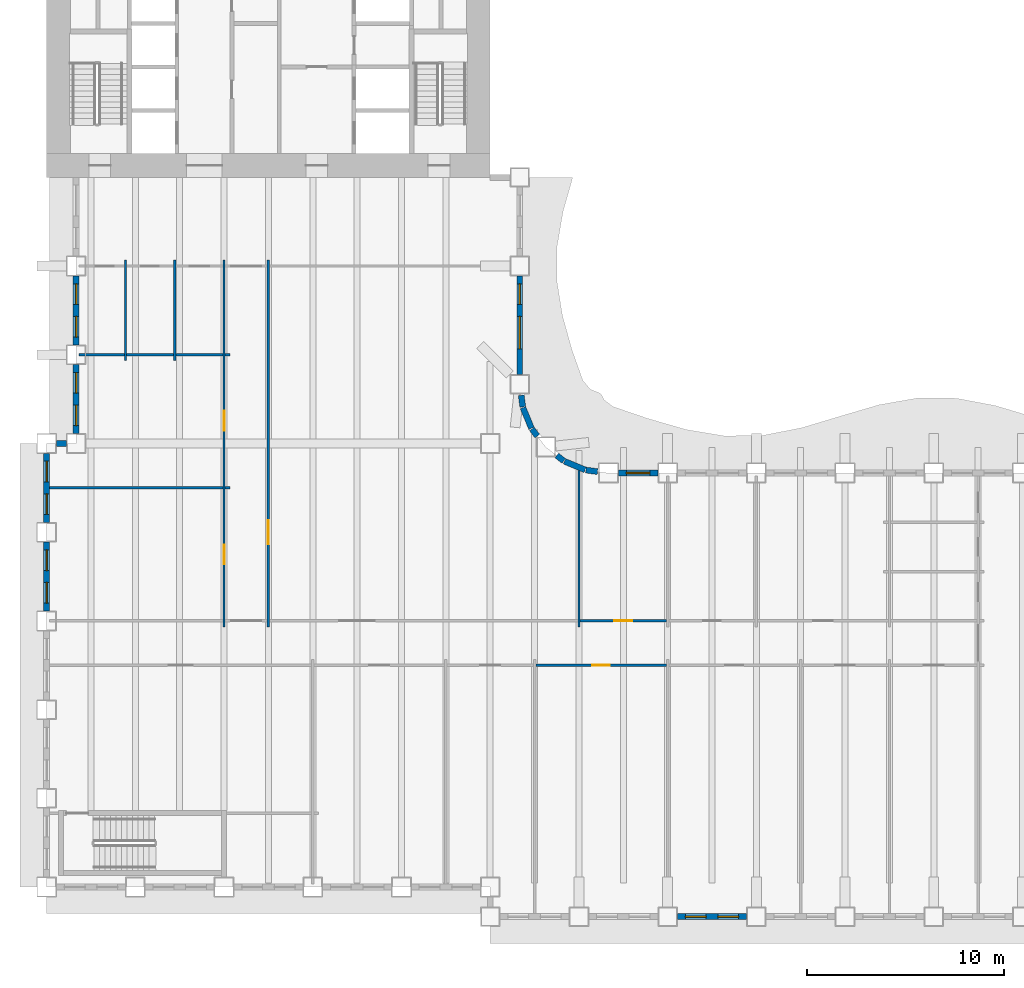
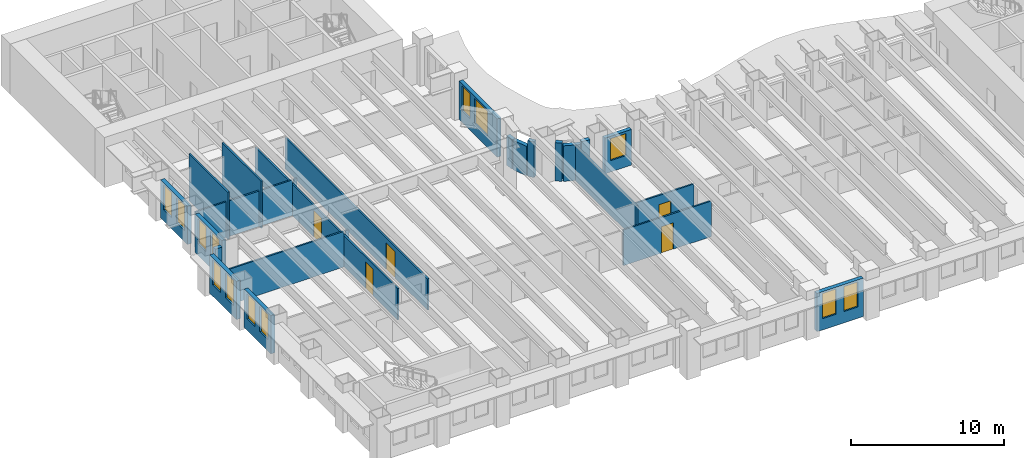
# One storey, part 4 of 16: 27 walls, 13 windows, 5 doors, 18 openings.
"""IFC4 building model written with IfcOpenShell, lengths in metres."""

from ifc_helpers import new_model, si_unit, direction, frame, frame_2d, origin, place, context, subcontext, project, spatial, rectangle, extrude, material, layer, layer_set, type_object, element, fill, save


model = new_model("IFC4")

# Units and contexts
model_context = context("Model", 3, precision=1e-05, world=origin(), true_north=direction((0.0, 1.0)))
body_context = subcontext(model_context, "Body", "Model", "MODEL_VIEW")
ifc_project = project(units=[si_unit("LENGTHUNIT", "METRE"), si_unit("AREAUNIT", "SQUARE_METRE"), si_unit("VOLUMEUNIT", "CUBIC_METRE"), si_unit("PLANEANGLEUNIT", "RADIAN"), si_unit("MASSUNIT", "GRAM", prefix="KILO")], contexts=[model_context])

# Site, building, storey
site_placement = place(None, origin())
site = spatial("IfcSite", under=ifc_project, at=site_placement, CompositionType="ELEMENT")
building_placement = place(site_placement, origin())
building = spatial("IfcBuilding", under=site, at=building_placement, Name="Sennacour Bend Tower", CompositionType="ELEMENT")
storey_placement = place(building_placement, frame((0.0, 0.0, 127.0)))
storey = spatial("IfcBuildingStorey", under=building, at=storey_placement, Name="L29", CompositionType="ELEMENT", Elevation=127.0)

# Walls
ifc_material_1 = material(Name="Plasterboard partition on steel studs", Category="steel")
ifc_layer_1 = layer(ifc_material_1, 0.1201171875, Name="Plasterboard partition on steel studs", Category="steel")
ifc_layer_set_1 = layer_set([ifc_layer_1], Name="Plasterboard partition on steel studs")
wall_type_1 = type_object("IfcWallType", Name="Partition 120", PredefinedType="PARTITIONING", material=ifc_layer_set_1)
for number, where, z_axis, x_axis, name in (
    (1, (4.0, 26.699951171875, 0.0), (0.0, 0.0, 1.0), (0.0, 1.0, 0.0), "P-L29-W005a"),
    (2, (6.5, 26.699951171875, 0.0), (0.0, 0.0, 1.0), (0.0, 1.0, 0.0), "P-L29-W008a"),
):
    element("IfcWall", number, at=place(storey_placement, frame(where, z_axis=z_axis, x_axis=x_axis)), inside=storey, type_object=wall_type_1, Name=name, PredefinedType="PARTITIONING", context=body_context, shape_type="SweptSolid", body=[
        extrude(rectangle(XDim=5.10009765625, YDim=0.1201171875, at=frame_2d((2.550048828125, 0.0))), origin(), (0.0, 0.0, 1.0), 3.75),
    ])

# Wall, openings, doors
wall_1_placement = place(storey_placement, frame((9.0, 13.199951171875, 0.0), z_axis=(0.0, 0.0, 1.0), x_axis=(0.0, 1.0, 0.0)))
wall_1 = element("IfcWall", 3, at=wall_1_placement, inside=storey, type_object=wall_type_1, Name="P-L29-W011a", PredefinedType="PARTITIONING", context=body_context, shape_type="SweptSolid", body=[
    extrude(rectangle(XDim=18.60009765625, YDim=0.1201171875, at=frame_2d((9.300048828125, 0.0))), origin(), (0.0, 0.0, 1.0), 2.5),
])
opening_1_placement = place(wall_1_placement, frame((3.175048828125, 0.0, 0.0)))
opening_1 = element("IfcOpeningElement", 4, at=opening_1_placement, cuts=wall_1, Name="Opening OD2", PredefinedType="OPENING", context=body_context, shape_type="SweptSolid", body=[
    extrude(rectangle(XDim=1.0, YDim=2.10009765625, at=frame_2d((0.5, 1.050048828125))), frame((0.0, 0.070068359375, 0.0), z_axis=(0.0, -1.0, 0.0), x_axis=(1.0, 0.0, 0.0)), (0.0, 0.0, 1.0), 0.14013671875),
])
opening_2_placement = place(wall_1_placement, frame((9.955078125, 0.0, 0.0)))
opening_2 = element("IfcOpeningElement", 5, at=opening_2_placement, cuts=wall_1, Name="Opening OD2", PredefinedType="OPENING", context=body_context, shape_type="SweptSolid", body=[
    extrude(rectangle(XDim=1.0, YDim=2.10009765625, at=frame_2d((0.5, 1.050048828125))), frame((0.0, 0.070068359375, 0.0), z_axis=(0.0, -1.0, 0.0), x_axis=(1.0, 0.0, 0.0)), (0.0, 0.0, 1.0), 0.14013671875),
])
ifc_material_2 = material(Name="Timber", Category="wood")
door_type_1 = type_object("IfcDoorType", Name="DR-OFFICE-1000", OperationType="NOTDEFINED", PredefinedType="DOOR", material=ifc_material_2)
door_1_placement = place(opening_1_placement, origin())
door_1 = element("IfcDoor", 6, at=door_1_placement, inside=storey, type_object=door_type_1, Name="Door", OperationType="SINGLE_SWING_LEFT", OverallHeight=2.10009765625, OverallWidth=1.0, PredefinedType="DOOR", context=body_context, shape_type="SweptSolid", body=[
    extrude(rectangle(XDim=1.0, YDim=2.10009765625, at=frame_2d((0.5, 1.050048828125))), frame((0.0, 0.02490234375, 0.0), z_axis=(0.0, -1.0, 0.0), x_axis=(1.0, 0.0, 0.0)), (0.0, 0.0, 1.0), 0.050048828125),
])
fill(opening_1, door_1)
door_2_placement = place(opening_2_placement, origin())
door_2 = element("IfcDoor", 7, at=door_2_placement, inside=storey, type_object=door_type_1, Name="Door", OperationType="SINGLE_SWING_RIGHT", OverallHeight=2.10009765625, OverallWidth=1.0, PredefinedType="DOOR", context=body_context, shape_type="SweptSolid", body=[
    extrude(rectangle(XDim=1.0, YDim=2.10009765625, at=frame_2d((0.5, 1.050048828125))), frame((0.0, 0.02490234375, 0.0), z_axis=(0.0, -1.0, 0.0), x_axis=(1.0, 0.0, 0.0)), (0.0, 0.0, 1.0), 0.050048828125),
])
fill(opening_2, door_2)

# Wall, opening, door
wall_2_placement = place(storey_placement, frame((11.25, 13.199951171875, 0.0), z_axis=(0.0, 0.0, 1.0), x_axis=(0.0, 1.0, 0.0)))
wall_2 = element("IfcWall", 8, at=wall_2_placement, inside=storey, type_object=wall_type_1, Name="P-L29-W013a", PredefinedType="PARTITIONING", context=body_context, shape_type="SweptSolid", body=[
    extrude(rectangle(XDim=18.60009765625, YDim=0.1201171875, at=frame_2d((9.300048828125, 0.0))), origin(), (0.0, 0.0, 1.0), 2.5),
])
opening_3_placement = place(wall_2_placement, frame((4.199951171875, 0.0, 0.0)))
opening_3 = element("IfcOpeningElement", 9, at=opening_3_placement, cuts=wall_2, Name="Opening OD", PredefinedType="OPENING", context=body_context, shape_type="SweptSolid", body=[
    extrude(rectangle(XDim=1.199951171875, YDim=2.10009765625, at=frame_2d((0.60009765625, 1.050048828125))), frame((0.0, 0.070068359375, 0.0), z_axis=(0.0, -1.0, 0.0), x_axis=(1.0, 0.0, 0.0)), (0.0, 0.0, 1.0), 0.14013671875),
])
door_type_2 = type_object("IfcDoorType", Name="DR-OFFICE-1200", OperationType="NOTDEFINED", PredefinedType="DOOR", material=ifc_material_2)
door_3_placement = place(opening_3_placement, origin())
door_3 = element("IfcDoor", 10, at=door_3_placement, inside=storey, type_object=door_type_2, Name="Door", OperationType="SINGLE_SWING_LEFT", OverallHeight=2.10009765625, OverallWidth=1.199951171875, PredefinedType="DOOR", context=body_context, shape_type="SweptSolid", body=[
    extrude(rectangle(XDim=1.199951171875, YDim=2.10009765625, at=frame_2d((0.60009765625, 1.050048828125))), frame((0.0, 0.02490234375, 0.0), z_axis=(0.0, -1.0, 0.0), x_axis=(1.0, 0.0, 0.0)), (0.0, 0.0, 1.0), 0.050048828125),
])
fill(opening_3, door_3)

# Walls
wall_3_placement = place(storey_placement, frame((27.0, 13.199951171875, 0.0), z_axis=(0.0, 0.0, 1.0), x_axis=(0.0, 1.0, 0.0)))
element("IfcWall", 11, at=wall_3_placement, inside=storey, type_object=wall_type_1, Name="P-L29-W026a", PredefinedType="PARTITIONING", context=body_context, shape_type="SweptSolid", body=[
    extrude(rectangle(XDim=7.929931640625, YDim=0.1201171875, at=frame_2d((3.96484375, 0.0))), origin(), (0.0, 0.0, 1.0), 2.837890625),
])
wall_4_placement = place(storey_placement, frame((0.14990234375, 20.25, 0.0), z_axis=(0.0, 0.0, 1.0), x_axis=(1.0, 0.0, 0.0)))
element("IfcWall", 12, at=wall_4_placement, inside=storey, type_object=wall_type_1, Name="P-L29-W070aa", PredefinedType="PARTITIONING", context=body_context, shape_type="SweptSolid", body=[
    extrude(rectangle(XDim=8.7900390625, YDim=0.1201171875, at=frame_2d((4.39501953125, 0.0))), origin(), (0.0, 0.0, 1.0), 2.837890625),
])
wall_5_placement = place(storey_placement, frame((9.06005859375, 20.25, 0.0), z_axis=(0.0, 0.0, 1.0), x_axis=(1.0, 0.0, 0.0)))
element("IfcWall", 13, at=wall_5_placement, inside=storey, type_object=wall_type_1, Name="P-L29-W070ab", PredefinedType="PARTITIONING", context=body_context, shape_type="SweptSolid", body=[
    extrude(rectangle(XDim=0.239990234375, YDim=0.1201171875, at=frame_2d((0.1201171875, 0.0))), origin(), (0.0, 0.0, 1.0), 2.837890625),
])
wall_6_placement = place(storey_placement, frame((1.64990234375, 27.0, 0.0), z_axis=(0.0, 0.0, 1.0), x_axis=(1.0, 0.0, 0.0)))
element("IfcWall", 14, at=wall_6_placement, inside=storey, type_object=wall_type_1, Name="P-L29-W073aa", PredefinedType="PARTITIONING", context=body_context, shape_type="SweptSolid", body=[
    extrude(rectangle(XDim=2.2900390625, YDim=0.1201171875, at=frame_2d((1.14501953125, 0.0))), origin(), (0.0, 0.0, 1.0), 2.837890625),
])
for number, where, z_axis, x_axis, name in (
    (15, (4.06005859375, 27.0, 0.0), (0.0, 0.0, 1.0), (1.0, 0.0, 0.0), "P-L29-W073ab"),
    (16, (6.56005859375, 27.0, 0.0), (0.0, 0.0, 1.0), (1.0, 0.0, 0.0), "P-L29-W073ac"),
):
    element("IfcWall", number, at=place(storey_placement, frame(where, z_axis=z_axis, x_axis=x_axis)), inside=storey, type_object=wall_type_1, Name=name, PredefinedType="PARTITIONING", context=body_context, shape_type="SweptSolid", body=[
        extrude(rectangle(XDim=2.3798828125, YDim=0.1201171875, at=frame_2d((1.18994140625, 0.0))), origin(), (0.0, 0.0, 1.0), 2.837890625),
    ])
wall_7_placement = place(storey_placement, frame((9.06005859375, 27.0, 0.0), z_axis=(0.0, 0.0, 1.0), x_axis=(1.0, 0.0, 0.0)))
element("IfcWall", 17, at=wall_7_placement, inside=storey, type_object=wall_type_1, Name="P-L29-W073ad", PredefinedType="PARTITIONING", context=body_context, shape_type="SweptSolid", body=[
    extrude(rectangle(XDim=0.239990234375, YDim=0.1201171875, at=frame_2d((0.1201171875, 0.0))), origin(), (0.0, 0.0, 1.0), 2.837890625),
])

# Wall, opening, door
ifc_layer_2 = layer(ifc_material_1, 0.1201171875, Name="Plasterboard partition on steel studs", Category="steel")
ifc_layer_set_2 = layer_set([ifc_layer_2], Name="Plasterboard partition on steel studs")
wall_type_2 = type_object("IfcWallType", Name="Partition 120 EI 60", PredefinedType="PARTITIONING", material=ifc_layer_set_2)
wall_8_placement = place(storey_placement, frame((24.81005859375, 11.25, 0.0), z_axis=(0.0, 0.0, 1.0), x_axis=(1.0, 0.0, 0.0)))
wall_8 = element("IfcWall", 18, at=wall_8_placement, inside=storey, type_object=wall_type_2, Name="P-L29-W058ad", PredefinedType="PARTITIONING", context=body_context, shape_type="SweptSolid", body=[
    extrude(rectangle(XDim=6.6298828125, YDim=0.1201171875, at=frame_2d((3.31494140625, 0.0))), origin(), (0.0, 0.0, 1.0), 2.837890625),
])
opening_4_placement = place(wall_8_placement, frame((2.864990234375, 0.0, 0.0)))
opening_4 = element("IfcOpeningElement", 19, at=opening_4_placement, cuts=wall_8, Name="Opening SV", PredefinedType="OPENING", context=body_context, shape_type="SweptSolid", body=[
    extrude(rectangle(XDim=0.89990234375, YDim=2.10009765625, at=frame_2d((0.449951171875, 1.050048828125))), frame((0.0, 0.070068359375, 0.0), z_axis=(0.0, -1.0, 0.0), x_axis=(1.0, 0.0, 0.0)), (0.0, 0.0, 1.0), 0.14013671875),
])
ifc_material_3 = material(Name="Painted steel", Category="steel")
door_type_3 = type_object("IfcDoorType", Name="DR-SERVICE-900", OperationType="NOTDEFINED", PredefinedType="DOOR", material=ifc_material_3)
door_4_placement = place(opening_4_placement, origin())
door_4 = element("IfcDoor", 20, at=door_4_placement, inside=storey, type_object=door_type_3, Name="Door", OperationType="SINGLE_SWING_LEFT", OverallHeight=2.10009765625, OverallWidth=0.89990234375, PredefinedType="DOOR", context=body_context, shape_type="SweptSolid", body=[
    extrude(rectangle(XDim=0.89990234375, YDim=2.10009765625, at=frame_2d((0.449951171875, 1.050048828125))), frame((0.0, 0.02490234375, 0.0), z_axis=(0.0, -1.0, 0.0), x_axis=(1.0, 0.0, 0.0)), (0.0, 0.0, 1.0), 0.050048828125),
])
fill(opening_4, door_4)

wall_9_placement = place(storey_placement, frame((27.06005859375, 13.5, 0.0), z_axis=(0.0, 0.0, 1.0), x_axis=(1.0, 0.0, 0.0)))
wall_9 = element("IfcWall", 21, at=wall_9_placement, inside=storey, type_object=wall_type_2, Name="P-L29-W060ad", PredefinedType="PARTITIONING", context=body_context, shape_type="SweptSolid", body=[
    extrude(rectangle(XDim=4.3798828125, YDim=0.1201171875, at=frame_2d((2.18994140625, 0.0))), origin(), (0.0, 0.0, 1.0), 2.837890625),
])
opening_5_placement = place(wall_9_placement, frame((1.739990234375, 0.0, 0.0)))
opening_5 = element("IfcOpeningElement", 22, at=opening_5_placement, cuts=wall_9, Name="Opening SV", PredefinedType="OPENING", context=body_context, shape_type="SweptSolid", body=[
    extrude(rectangle(XDim=0.89990234375, YDim=2.10009765625, at=frame_2d((0.449951171875, 1.050048828125))), frame((0.0, 0.070068359375, 0.0), z_axis=(0.0, -1.0, 0.0), x_axis=(1.0, 0.0, 0.0)), (0.0, 0.0, 1.0), 0.14013671875),
])
door_5_placement = place(opening_5_placement, origin())
door_5 = element("IfcDoor", 23, at=door_5_placement, inside=storey, type_object=door_type_3, Name="Door", OperationType="SINGLE_SWING_LEFT", OverallHeight=2.10009765625, OverallWidth=0.89990234375, PredefinedType="DOOR", context=body_context, shape_type="SweptSolid", body=[
    extrude(rectangle(XDim=0.89990234375, YDim=2.10009765625, at=frame_2d((0.449951171875, 1.050048828125))), frame((0.0, 0.02490234375, 0.0), z_axis=(0.0, -1.0, 0.0), x_axis=(1.0, 0.0, 0.0)), (0.0, 0.0, 1.0), 0.050048828125),
])
fill(opening_5, door_5)

# Wall, openings, windows
ifc_material_4 = material(Name="Warm limestone cladding", Category="masonry")
ifc_layer_3 = layer(ifc_material_4, 0.050048828125, Name="Warm limestone cladding", Category="masonry")
ifc_material_5 = material(Name="Precast concrete C40/50", Category="concrete")
ifc_layer_4 = layer(ifc_material_5, 0.25, Name="Precast concrete C40/50", Category="concrete")
ifc_layer_set_3 = layer_set([ifc_layer_3, ifc_layer_4], Name="Precast concrete C40/50 with limestone cladding")
wall_type_3 = type_object("IfcWallType", Name="STONE-CLAD PRECAST SPANDREL 300", PredefinedType="STANDARD", material=ifc_layer_set_3)
wall_10_placement = place(storey_placement, frame((32.0, -1.5, 0.0), z_axis=(0.0, 0.0, 1.0), x_axis=(1.0, 0.0, 0.0)))
wall_10 = element("IfcWall", 24, at=wall_10_placement, inside=storey, type_object=wall_type_3, Name="Stone spandrel and pier wall L29 00.02", PredefinedType="STANDARD", context=body_context, shape_type="SweptSolid", body=[
    extrude(rectangle(XDim=3.5, YDim=0.300048828125, at=frame_2d((1.75, 0.0))), origin(), (0.0, 0.0, 1.0), 3.053955078125),
])
opening_6_placement = place(wall_10_placement, frame((0.39990234375, 0.0, 0.89990234375)))
opening_6 = element("IfcOpeningElement", 25, at=opening_6_placement, cuts=wall_10, Name="Opening W13", PredefinedType="OPENING", context=body_context, shape_type="SweptSolid", body=[
    extrude(rectangle(XDim=1.050048828125, YDim=2.0, at=frame_2d((0.52490234375, 1.0))), frame((0.0, 0.16015625, 0.0), z_axis=(0.0, -1.0, 0.0), x_axis=(1.0, 0.0, 0.0)), (0.0, 0.0, 1.0), 0.320068359375),
])
opening_7_placement = place(wall_10_placement, frame((2.050048828125, 0.0, 0.89990234375)))
opening_7 = element("IfcOpeningElement", 26, at=opening_7_placement, cuts=wall_10, Name="Opening W13", PredefinedType="OPENING", context=body_context, shape_type="SweptSolid", body=[
    extrude(rectangle(XDim=1.050048828125, YDim=2.0, at=frame_2d((0.52490234375, 1.0))), frame((0.0, 0.16015625, 0.0), z_axis=(0.0, -1.0, 0.0), x_axis=(1.0, 0.0, 0.0)), (0.0, 0.0, 1.0), 0.320068359375),
])
ifc_material_6 = material(Name="Clear low-emissivity glass", Category="glass")
window_type_1 = type_object("IfcWindowType", Name="WIN-RIBBON-1050x2000", PartitioningType="SINGLE_PANEL", PredefinedType="WINDOW", material=ifc_material_6)
window_1_placement = place(opening_6_placement, origin())
window_1 = element("IfcWindow", 27, at=window_1_placement, inside=storey, type_object=window_type_1, Name="Ribbon window L29 00.02.0", OverallHeight=2.0, OverallWidth=1.050048828125, PartitioningType="SINGLE_PANEL", PredefinedType="WINDOW", context=body_context, shape_type="SweptSolid", body=[
    extrude(rectangle(XDim=1.050048828125, YDim=2.0, at=frame_2d((0.52490234375, 1.0))), frame((0.0, 0.030029296875, 0.0), z_axis=(0.0, -1.0, 0.0), x_axis=(1.0, 0.0, 0.0)), (0.0, 0.0, 1.0), 0.06005859375),
])
fill(opening_6, window_1)
window_2_placement = place(opening_7_placement, origin())
window_2 = element("IfcWindow", 28, at=window_2_placement, inside=storey, type_object=window_type_1, Name="Ribbon window L29 00.02.1", OverallHeight=2.0, OverallWidth=1.050048828125, PartitioningType="SINGLE_PANEL", PredefinedType="WINDOW", context=body_context, shape_type="SweptSolid", body=[
    extrude(rectangle(XDim=1.050048828125, YDim=2.0, at=frame_2d((0.52490234375, 1.0))), frame((0.0, 0.030029296875, 0.0), z_axis=(0.0, -1.0, 0.0), x_axis=(1.0, 0.0, 0.0)), (0.0, 0.0, 1.0), 0.06005859375),
])
fill(opening_7, window_2)

# Wall, opening, window
wall_11_placement = place(storey_placement, frame((31.0, 21.0, 0.0), z_axis=(0.0, 0.0, 1.0), x_axis=(-1.0, 0.0, 0.0)))
wall_11 = element("IfcWall", 29, at=wall_11_placement, inside=storey, type_object=wall_type_3, Name="Stone spandrel and pier wall L29 06.05", PredefinedType="STANDARD", context=body_context, shape_type="SweptSolid", body=[
    extrude(rectangle(XDim=2.0, YDim=0.300048828125, at=frame_2d((1.0, 0.0))), origin(), (0.0, 0.0, 1.0), 2.837890625),
])
opening_8_placement = place(wall_11_placement, frame((0.39990234375, 0.0, 0.89990234375)))
opening_8 = element("IfcOpeningElement", 30, at=opening_8_placement, cuts=wall_11, Name="Opening W16", PredefinedType="OPENING", context=body_context, shape_type="SweptSolid", body=[
    extrude(rectangle(XDim=1.199951171875, YDim=1.75, at=frame_2d((0.60009765625, 0.875))), frame((0.0, 0.16015625, 0.0), z_axis=(0.0, -1.0, 0.0), x_axis=(1.0, 0.0, 0.0)), (0.0, 0.0, 1.0), 0.320068359375),
])
window_type_2 = type_object("IfcWindowType", Name="WIN-RIBBON-1200x1750", PartitioningType="SINGLE_PANEL", PredefinedType="WINDOW", material=ifc_material_6)
window_3_placement = place(opening_8_placement, origin())
window_3 = element("IfcWindow", 31, at=window_3_placement, inside=storey, type_object=window_type_2, Name="Ribbon window L29 06.05", OverallHeight=1.75, OverallWidth=1.199951171875, PartitioningType="SINGLE_PANEL", PredefinedType="WINDOW", context=body_context, shape_type="SweptSolid", body=[
    extrude(rectangle(XDim=1.199951171875, YDim=1.75, at=frame_2d((0.60009765625, 0.875))), frame((0.0, 0.030029296875, 0.0), z_axis=(0.0, -1.0, 0.0), x_axis=(1.0, 0.0, 0.0)), (0.0, 0.0, 1.0), 0.06005859375),
])
fill(opening_8, window_3)

# Walls
wall_12_placement = place(storey_placement, frame((27.94384765625, 21.0732421875, 0.0), z_axis=(0.0, 0.0, 1.0), x_axis=(-0.991420685839, 0.130709692412, 0.0)))
element("IfcWall", 32, at=wall_12_placement, inside=storey, type_object=wall_type_3, Name="Stone spandrel and pier wall L29 07.00", PredefinedType="STANDARD", context=body_context, shape_type="SweptSolid", body=[
    extrude(rectangle(XDim=0.593994140625, YDim=0.300048828125, at=frame_2d((0.296875, 0.0))), origin(), (0.0, 0.0, 1.0), 3.053955078125),
])
wall_13_placement = place(storey_placement, frame((27.317138671875, 21.160888671875, 0.0), z_axis=(0.0, 0.0, 1.0), x_axis=(-0.923914616768, 0.382598720491, 0.0)))
element("IfcWall", 33, at=wall_13_placement, inside=storey, type_object=wall_type_3, Name="Stone spandrel and pier wall L29 08.00", PredefinedType="STANDARD", context=body_context, shape_type="SweptSolid", body=[
    extrude(rectangle(XDim=1.13525390625, YDim=0.300048828125, at=frame_2d((0.567626953125, 0.0))), origin(), (0.0, 0.0, 1.0), 2.837890625),
])
wall_14_placement = place(storey_placement, frame((26.234375, 21.614990234375, 0.0), z_axis=(0.0, 0.0, 1.0), x_axis=(-0.793563062559, 0.608488016104, 0.0)))
element("IfcWall", 34, at=wall_14_placement, inside=storey, type_object=wall_type_3, Name="Stone spandrel and pier wall L29 09.00", PredefinedType="STANDARD", context=body_context, shape_type="SweptSolid", body=[
    extrude(rectangle(XDim=0.453857421875, YDim=0.300048828125, at=frame_2d((0.22705078125, 0.0))), origin(), (0.0, 0.0, 1.0), 3.053955078125),
])
wall_15_placement = place(storey_placement, frame((24.89111328125, 22.874267578125, 0.0), z_axis=(0.0, 0.0, 1.0), x_axis=(-0.608488016104, 0.793563062559, 0.0)))
element("IfcWall", 35, at=wall_15_placement, inside=storey, type_object=wall_type_3, Name="Stone spandrel and pier wall L29 10.00", PredefinedType="STANDARD", context=body_context, shape_type="SweptSolid", body=[
    extrude(rectangle(XDim=0.453857421875, YDim=0.300048828125, at=frame_2d((0.22705078125, 0.0))), origin(), (0.0, 0.0, 1.0), 2.837890625),
])
wall_16_placement = place(storey_placement, frame((24.59521484375, 23.268310546875, 0.0), z_axis=(0.0, 0.0, 1.0), x_axis=(-0.382598720491, 0.923914616768, 0.0)))
element("IfcWall", 36, at=wall_16_placement, inside=storey, type_object=wall_type_3, Name="Stone spandrel and pier wall L29 11.00", PredefinedType="STANDARD", context=body_context, shape_type="SweptSolid", body=[
    extrude(rectangle(XDim=1.13525390625, YDim=0.300048828125, at=frame_2d((0.567626953125, 0.0))), origin(), (0.0, 0.0, 1.0), 2.35009765625),
])
wall_17_placement = place(storey_placement, frame((24.15087890625, 24.35498046875, 0.0), z_axis=(0.0, 0.0, 1.0), x_axis=(-0.130709692412, 0.991420685839, 0.0)))
element("IfcWall", 37, at=wall_17_placement, inside=storey, type_object=wall_type_3, Name="Stone spandrel and pier wall L29 12.00", PredefinedType="STANDARD", context=body_context, shape_type="SweptSolid", body=[
    extrude(rectangle(XDim=0.593994140625, YDim=0.300048828125, at=frame_2d((0.296875, 0.0))), origin(), (0.0, 0.0, 1.0), 2.35009765625),
])

# Wall, openings, windows
wall_18_placement = place(storey_placement, frame((24.0, 26.0, 0.0), z_axis=(0.0, 0.0, 1.0), x_axis=(0.0, 1.0, 0.0)))
wall_18 = element("IfcWall", 38, at=wall_18_placement, inside=storey, type_object=wall_type_3, Name="Stone spandrel and pier wall L29 13.00", PredefinedType="STANDARD", context=body_context, shape_type="SweptSolid", body=[
    extrude(rectangle(XDim=5.0, YDim=0.300048828125, at=frame_2d((2.5, 0.0))), origin(), (0.0, 0.0, 1.0), 3.053955078125),
])
opening_9_placement = place(wall_18_placement, frame((1.300048828125, 0.0, 0.89990234375)))
opening_9 = element("IfcOpeningElement", 39, at=opening_9_placement, cuts=wall_18, Name="Opening W10", PredefinedType="OPENING", context=body_context, shape_type="SweptSolid", body=[
    extrude(rectangle(XDim=1.64990234375, YDim=2.0, at=frame_2d((0.824951171875, 1.0))), frame((0.0, 0.16015625, 0.0), z_axis=(0.0, -1.0, 0.0), x_axis=(1.0, 0.0, 0.0)), (0.0, 0.0, 1.0), 0.320068359375),
])
opening_10_placement = place(wall_18_placement, frame((3.550048828125, 0.0, 0.89990234375)))
opening_10 = element("IfcOpeningElement", 40, at=opening_10_placement, cuts=wall_18, Name="Opening W13", PredefinedType="OPENING", context=body_context, shape_type="SweptSolid", body=[
    extrude(rectangle(XDim=1.050048828125, YDim=2.0, at=frame_2d((0.52490234375, 1.0))), frame((0.0, 0.16015625, 0.0), z_axis=(0.0, -1.0, 0.0), x_axis=(1.0, 0.0, 0.0)), (0.0, 0.0, 1.0), 0.320068359375),
])
window_4_placement = place(opening_10_placement, origin())
window_4 = element("IfcWindow", 41, at=window_4_placement, inside=storey, type_object=window_type_1, Name="Ribbon window L29 13.00.1", OverallHeight=2.0, OverallWidth=1.050048828125, PartitioningType="SINGLE_PANEL", PredefinedType="WINDOW", context=body_context, shape_type="SweptSolid", body=[
    extrude(rectangle(XDim=1.050048828125, YDim=2.0, at=frame_2d((0.52490234375, 1.0))), frame((0.0, 0.030029296875, 0.0), z_axis=(0.0, -1.0, 0.0), x_axis=(1.0, 0.0, 0.0)), (0.0, 0.0, 1.0), 0.06005859375),
])
fill(opening_10, window_4)
window_type_3 = type_object("IfcWindowType", Name="WIN-RIBBON-1650x2000", PartitioningType="SINGLE_PANEL", PredefinedType="WINDOW", material=ifc_material_6)
window_5_placement = place(opening_9_placement, origin())
window_5 = element("IfcWindow", 42, at=window_5_placement, inside=storey, type_object=window_type_3, Name="Ribbon window L29 13.00.0", OverallHeight=2.0, OverallWidth=1.64990234375, PartitioningType="SINGLE_PANEL", PredefinedType="WINDOW", context=body_context, shape_type="SweptSolid", body=[
    extrude(rectangle(XDim=1.64990234375, YDim=2.0, at=frame_2d((0.824951171875, 1.0))), frame((0.0, 0.030029296875, 0.0), z_axis=(0.0, -1.0, 0.0), x_axis=(1.0, 0.0, 0.0)), (0.0, 0.0, 1.0), 0.06005859375),
])
fill(opening_9, window_5)

wall_19_placement = place(storey_placement, frame((1.5, 31.0, 0.0), z_axis=(0.0, 0.0, 1.0), x_axis=(0.0, -1.0, 0.0)))
wall_19 = element("IfcWall", 43, at=wall_19_placement, inside=storey, type_object=wall_type_3, Name="Stone spandrel and pier wall L29 19.01", PredefinedType="STANDARD", context=body_context, shape_type="SweptSolid", body=[
    extrude(rectangle(XDim=3.5, YDim=0.300048828125, at=frame_2d((1.75, 0.0))), origin(), (0.0, 0.0, 1.0), 3.053955078125),
])
opening_11_placement = place(wall_19_placement, frame((0.39990234375, 0.0, 0.89990234375)))
opening_11 = element("IfcOpeningElement", 44, at=opening_11_placement, cuts=wall_19, Name="Opening W13", PredefinedType="OPENING", context=body_context, shape_type="SweptSolid", body=[
    extrude(rectangle(XDim=1.050048828125, YDim=2.0, at=frame_2d((0.52490234375, 1.0))), frame((0.0, 0.16015625, 0.0), z_axis=(0.0, -1.0, 0.0), x_axis=(1.0, 0.0, 0.0)), (0.0, 0.0, 1.0), 0.320068359375),
])
opening_12_placement = place(wall_19_placement, frame((2.050048828125, 0.0, 0.89990234375)))
opening_12 = element("IfcOpeningElement", 45, at=opening_12_placement, cuts=wall_19, Name="Opening W13", PredefinedType="OPENING", context=body_context, shape_type="SweptSolid", body=[
    extrude(rectangle(XDim=1.050048828125, YDim=2.0, at=frame_2d((0.52490234375, 1.0))), frame((0.0, 0.16015625, 0.0), z_axis=(0.0, -1.0, 0.0), x_axis=(1.0, 0.0, 0.0)), (0.0, 0.0, 1.0), 0.320068359375),
])
window_6_placement = place(opening_11_placement, origin())
window_6 = element("IfcWindow", 46, at=window_6_placement, inside=storey, type_object=window_type_1, Name="Ribbon window L29 19.01.0", OverallHeight=2.0, OverallWidth=1.050048828125, PartitioningType="SINGLE_PANEL", PredefinedType="WINDOW", context=body_context, shape_type="SweptSolid", body=[
    extrude(rectangle(XDim=1.050048828125, YDim=2.0, at=frame_2d((0.52490234375, 1.0))), frame((0.0, 0.030029296875, 0.0), z_axis=(0.0, -1.0, 0.0), x_axis=(1.0, 0.0, 0.0)), (0.0, 0.0, 1.0), 0.06005859375),
])
fill(opening_11, window_6)
window_7_placement = place(opening_12_placement, origin())
window_7 = element("IfcWindow", 47, at=window_7_placement, inside=storey, type_object=window_type_1, Name="Ribbon window L29 19.01.1", OverallHeight=2.0, OverallWidth=1.050048828125, PartitioningType="SINGLE_PANEL", PredefinedType="WINDOW", context=body_context, shape_type="SweptSolid", body=[
    extrude(rectangle(XDim=1.050048828125, YDim=2.0, at=frame_2d((0.52490234375, 1.0))), frame((0.0, 0.030029296875, 0.0), z_axis=(0.0, -1.0, 0.0), x_axis=(1.0, 0.0, 0.0)), (0.0, 0.0, 1.0), 0.06005859375),
])
fill(opening_12, window_7)

wall_20_placement = place(storey_placement, frame((1.5, 26.5, 0.0), z_axis=(0.0, 0.0, 1.0), x_axis=(0.0, -1.0, 0.0)))
wall_20 = element("IfcWall", 48, at=wall_20_placement, inside=storey, type_object=wall_type_3, Name="Stone spandrel and pier wall L29 19.02", PredefinedType="STANDARD", context=body_context, shape_type="SweptSolid", body=[
    extrude(rectangle(XDim=3.5, YDim=0.300048828125, at=frame_2d((1.75, 0.0))), origin(), (0.0, 0.0, 1.0), 3.053955078125),
])
opening_13_placement = place(wall_20_placement, frame((0.39990234375, 0.0, 0.89990234375)))
opening_13 = element("IfcOpeningElement", 49, at=opening_13_placement, cuts=wall_20, Name="Opening W13", PredefinedType="OPENING", context=body_context, shape_type="SweptSolid", body=[
    extrude(rectangle(XDim=1.050048828125, YDim=2.0, at=frame_2d((0.52490234375, 1.0))), frame((0.0, 0.16015625, 0.0), z_axis=(0.0, -1.0, 0.0), x_axis=(1.0, 0.0, 0.0)), (0.0, 0.0, 1.0), 0.320068359375),
])
opening_14_placement = place(wall_20_placement, frame((2.050048828125, 0.0, 0.89990234375)))
opening_14 = element("IfcOpeningElement", 50, at=opening_14_placement, cuts=wall_20, Name="Opening W13", PredefinedType="OPENING", context=body_context, shape_type="SweptSolid", body=[
    extrude(rectangle(XDim=1.050048828125, YDim=2.0, at=frame_2d((0.52490234375, 1.0))), frame((0.0, 0.16015625, 0.0), z_axis=(0.0, -1.0, 0.0), x_axis=(1.0, 0.0, 0.0)), (0.0, 0.0, 1.0), 0.320068359375),
])
window_8_placement = place(opening_13_placement, origin())
window_8 = element("IfcWindow", 51, at=window_8_placement, inside=storey, type_object=window_type_1, Name="Ribbon window L29 19.02.0", OverallHeight=2.0, OverallWidth=1.050048828125, PartitioningType="SINGLE_PANEL", PredefinedType="WINDOW", context=body_context, shape_type="SweptSolid", body=[
    extrude(rectangle(XDim=1.050048828125, YDim=2.0, at=frame_2d((0.52490234375, 1.0))), frame((0.0, 0.030029296875, 0.0), z_axis=(0.0, -1.0, 0.0), x_axis=(1.0, 0.0, 0.0)), (0.0, 0.0, 1.0), 0.06005859375),
])
fill(opening_13, window_8)
window_9_placement = place(opening_14_placement, origin())
window_9 = element("IfcWindow", 52, at=window_9_placement, inside=storey, type_object=window_type_1, Name="Ribbon window L29 19.02.1", OverallHeight=2.0, OverallWidth=1.050048828125, PartitioningType="SINGLE_PANEL", PredefinedType="WINDOW", context=body_context, shape_type="SweptSolid", body=[
    extrude(rectangle(XDim=1.050048828125, YDim=2.0, at=frame_2d((0.52490234375, 1.0))), frame((0.0, 0.030029296875, 0.0), z_axis=(0.0, -1.0, 0.0), x_axis=(1.0, 0.0, 0.0)), (0.0, 0.0, 1.0), 0.06005859375),
])
fill(opening_14, window_9)

# Wall
wall_21_placement = place(storey_placement, frame((1.0, 22.5, 0.0), z_axis=(0.0, 0.0, 1.0), x_axis=(-1.0, 0.0, 0.0)))
element("IfcWall", 53, at=wall_21_placement, inside=storey, type_object=wall_type_3, Name="Stone spandrel and pier wall L29 20.00", PredefinedType="STANDARD", context=body_context, shape_type="SweptSolid", body=[
    extrude(rectangle(XDim=0.5, YDim=0.300048828125, at=frame_2d((0.25, 0.0))), origin(), (0.0, 0.0, 1.0), 3.053955078125),
])

# Wall, openings, windows
wall_22_placement = place(storey_placement, frame((0.0, 22.0, 0.0), z_axis=(0.0, 0.0, 1.0), x_axis=(0.0, -1.0, 0.0)))
wall_22 = element("IfcWall", 54, at=wall_22_placement, inside=storey, type_object=wall_type_3, Name="Stone spandrel and pier wall L29 21.00", PredefinedType="STANDARD", context=body_context, shape_type="SweptSolid", body=[
    extrude(rectangle(XDim=3.5, YDim=0.300048828125, at=frame_2d((1.75, 0.0))), origin(), (0.0, 0.0, 1.0), 3.053955078125),
])
opening_15_placement = place(wall_22_placement, frame((0.39990234375, 0.0, 0.89990234375)))
opening_15 = element("IfcOpeningElement", 55, at=opening_15_placement, cuts=wall_22, Name="Opening W13", PredefinedType="OPENING", context=body_context, shape_type="SweptSolid", body=[
    extrude(rectangle(XDim=1.050048828125, YDim=2.0, at=frame_2d((0.52490234375, 1.0))), frame((0.0, 0.16015625, 0.0), z_axis=(0.0, -1.0, 0.0), x_axis=(1.0, 0.0, 0.0)), (0.0, 0.0, 1.0), 0.320068359375),
])
opening_16_placement = place(wall_22_placement, frame((2.050048828125, 0.0, 0.89990234375)))
opening_16 = element("IfcOpeningElement", 56, at=opening_16_placement, cuts=wall_22, Name="Opening W13", PredefinedType="OPENING", context=body_context, shape_type="SweptSolid", body=[
    extrude(rectangle(XDim=1.050048828125, YDim=2.0, at=frame_2d((0.52490234375, 1.0))), frame((0.0, 0.16015625, 0.0), z_axis=(0.0, -1.0, 0.0), x_axis=(1.0, 0.0, 0.0)), (0.0, 0.0, 1.0), 0.320068359375),
])
window_10_placement = place(opening_15_placement, origin())
window_10 = element("IfcWindow", 57, at=window_10_placement, inside=storey, type_object=window_type_1, Name="Ribbon window L29 21.00.0", OverallHeight=2.0, OverallWidth=1.050048828125, PartitioningType="SINGLE_PANEL", PredefinedType="WINDOW", context=body_context, shape_type="SweptSolid", body=[
    extrude(rectangle(XDim=1.050048828125, YDim=2.0, at=frame_2d((0.52490234375, 1.0))), frame((0.0, 0.030029296875, 0.0), z_axis=(0.0, -1.0, 0.0), x_axis=(1.0, 0.0, 0.0)), (0.0, 0.0, 1.0), 0.06005859375),
])
fill(opening_15, window_10)
window_11_placement = place(opening_16_placement, origin())
window_11 = element("IfcWindow", 58, at=window_11_placement, inside=storey, type_object=window_type_1, Name="Ribbon window L29 21.00.1", OverallHeight=2.0, OverallWidth=1.050048828125, PartitioningType="SINGLE_PANEL", PredefinedType="WINDOW", context=body_context, shape_type="SweptSolid", body=[
    extrude(rectangle(XDim=1.050048828125, YDim=2.0, at=frame_2d((0.52490234375, 1.0))), frame((0.0, 0.030029296875, 0.0), z_axis=(0.0, -1.0, 0.0), x_axis=(1.0, 0.0, 0.0)), (0.0, 0.0, 1.0), 0.06005859375),
])
fill(opening_16, window_11)

wall_23_placement = place(storey_placement, frame((0.0, 17.5, 0.0), z_axis=(0.0, 0.0, 1.0), x_axis=(0.0, -1.0, 0.0)))
wall_23 = element("IfcWall", 59, at=wall_23_placement, inside=storey, type_object=wall_type_3, Name="Stone spandrel and pier wall L29 21.01", PredefinedType="STANDARD", context=body_context, shape_type="SweptSolid", body=[
    extrude(rectangle(XDim=3.5, YDim=0.300048828125, at=frame_2d((1.75, 0.0))), origin(), (0.0, 0.0, 1.0), 3.053955078125),
])
opening_17_placement = place(wall_23_placement, frame((0.39990234375, 0.0, 0.89990234375)))
opening_17 = element("IfcOpeningElement", 60, at=opening_17_placement, cuts=wall_23, Name="Opening W13", PredefinedType="OPENING", context=body_context, shape_type="SweptSolid", body=[
    extrude(rectangle(XDim=1.050048828125, YDim=2.0, at=frame_2d((0.52490234375, 1.0))), frame((0.0, 0.16015625, 0.0), z_axis=(0.0, -1.0, 0.0), x_axis=(1.0, 0.0, 0.0)), (0.0, 0.0, 1.0), 0.320068359375),
])
opening_18_placement = place(wall_23_placement, frame((2.050048828125, 0.0, 0.89990234375)))
opening_18 = element("IfcOpeningElement", 61, at=opening_18_placement, cuts=wall_23, Name="Opening W13", PredefinedType="OPENING", context=body_context, shape_type="SweptSolid", body=[
    extrude(rectangle(XDim=1.050048828125, YDim=2.0, at=frame_2d((0.52490234375, 1.0))), frame((0.0, 0.16015625, 0.0), z_axis=(0.0, -1.0, 0.0), x_axis=(1.0, 0.0, 0.0)), (0.0, 0.0, 1.0), 0.320068359375),
])
window_12_placement = place(opening_17_placement, origin())
window_12 = element("IfcWindow", 62, at=window_12_placement, inside=storey, type_object=window_type_1, Name="Ribbon window L29 21.01.0", OverallHeight=2.0, OverallWidth=1.050048828125, PartitioningType="SINGLE_PANEL", PredefinedType="WINDOW", context=body_context, shape_type="SweptSolid", body=[
    extrude(rectangle(XDim=1.050048828125, YDim=2.0, at=frame_2d((0.52490234375, 1.0))), frame((0.0, 0.030029296875, 0.0), z_axis=(0.0, -1.0, 0.0), x_axis=(1.0, 0.0, 0.0)), (0.0, 0.0, 1.0), 0.06005859375),
])
fill(opening_17, window_12)
window_13_placement = place(opening_18_placement, origin())
window_13 = element("IfcWindow", 63, at=window_13_placement, inside=storey, type_object=window_type_1, Name="Ribbon window L29 21.01.1", OverallHeight=2.0, OverallWidth=1.050048828125, PartitioningType="SINGLE_PANEL", PredefinedType="WINDOW", context=body_context, shape_type="SweptSolid", body=[
    extrude(rectangle(XDim=1.050048828125, YDim=2.0, at=frame_2d((0.52490234375, 1.0))), frame((0.0, 0.030029296875, 0.0), z_axis=(0.0, -1.0, 0.0), x_axis=(1.0, 0.0, 0.0)), (0.0, 0.0, 1.0), 0.06005859375),
])
fill(opening_18, window_13)

save(model, "model.ifc")
